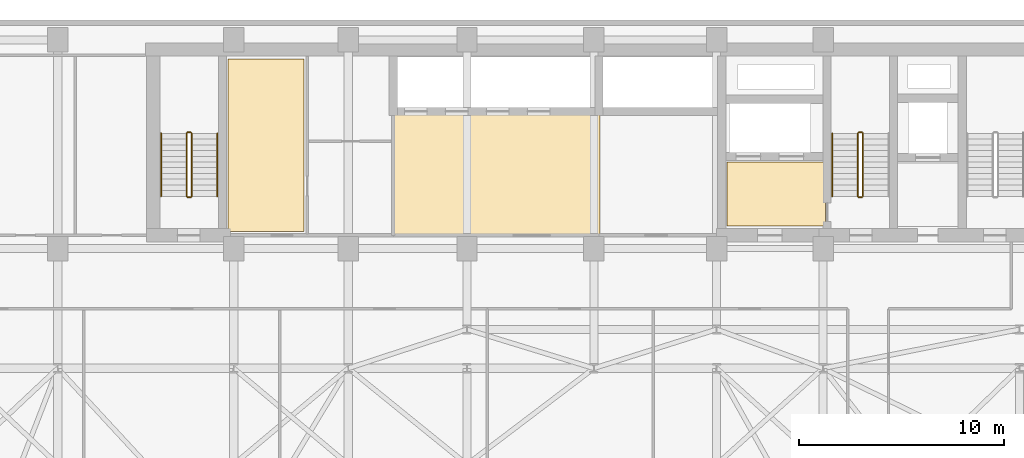
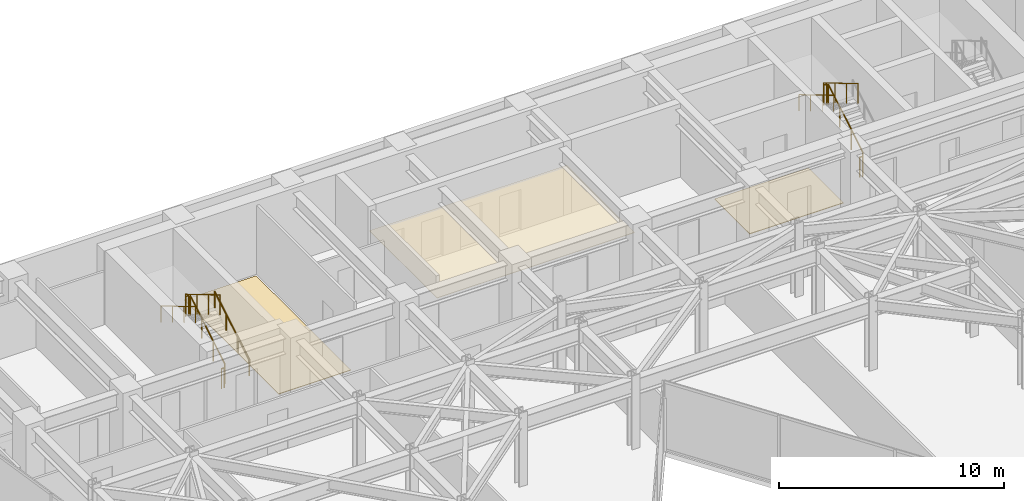
# One storey, part 25 of 26: 11 railings, 3 coverings.
"""IFC4 building model written with IfcOpenShell, lengths in metres."""

from ifc_helpers import new_model, si_unit, direction, frame, origin, origin_2d, place, context, subcontext, project, spatial, polyline, circle, outline, extrude, material, layer, layer_set, type_object, element, save


model = new_model("IFC4")

# Units and contexts
model_context = context("Model", 3, precision=1e-05, world=origin(), true_north=direction((0.0, 1.0)))
body_context = subcontext(model_context, "Body", "Model", "MODEL_VIEW")
ifc_project = project(units=[si_unit("LENGTHUNIT", "METRE"), si_unit("AREAUNIT", "SQUARE_METRE"), si_unit("VOLUMEUNIT", "CUBIC_METRE"), si_unit("PLANEANGLEUNIT", "RADIAN"), si_unit("MASSUNIT", "GRAM", prefix="KILO")], contexts=[model_context])

# Site, building, storey
site_placement = place(None, origin())
site = spatial("IfcSite", under=ifc_project, at=site_placement, CompositionType="ELEMENT")
building_placement = place(site_placement, origin())
building = spatial("IfcBuilding", under=site, at=building_placement, Name="Kravanh Interchange Tower", CompositionType="ELEMENT")
storey_placement = place(building_placement, frame((0.0, 0.0, 132.0)))
storey = spatial("IfcBuildingStorey", under=building, at=storey_placement, Name="L31", CompositionType="ELEMENT", Elevation=132.0)

# Coverings
ifc_material_1 = material(Name="Cementitious Terrazzo Tile")
ifc_layer_1 = layer(ifc_material_1, 0.030029296875)
ifc_layer_set_1 = layer_set([ifc_layer_1], Name="Honed Terrazzo Lobby Flooring 30mm")
covering_type_1 = type_object("IfcCoveringType", Name="Honed Terrazzo Lobby Flooring 30mm", PredefinedType="FLOORING", material=ifc_layer_set_1)
covering_1_placement = place(storey_placement, origin())
element("IfcCovering", 1, at=covering_1_placement, inside=storey, type_object=covering_type_1, Name="L31 Firefighting Lobby Floor Finish", PredefinedType="FLOORING", context=body_context, shape_type="SweptSolid", body=[
    extrude(outline(polyline([(56.1201171875, 38.4599609375), (51.300048828125, 38.4599609375), (51.300048828125, 41.580078125), (56.1201171875, 41.580078125), (56.1201171875, 38.4599609375)])), origin(), (0.0, 0.0, 1.0), 0.030029296875),
])
covering_2_placement = place(storey_placement, origin())
element("IfcCovering", 2, at=covering_2_placement, inside=storey, type_object=covering_type_1, Name="L31 Staff Break and Coffee Room Floor Finish", PredefinedType="FLOORING", context=body_context, shape_type="SweptSolid", body=[
    extrude(outline(polyline([(26.929931640625, 46.6201171875), (30.639892578125, 46.6201171875), (30.639892578125, 38.179931640625), (26.929931640625, 38.179931640625), (26.929931640625, 46.6201171875)])), origin(), (0.0, 0.0, 1.0), 0.030029296875),
])
ifc_material_2 = material(Name="Acoustic Mineral Fibre Tile on Aluminium Grid", Category="aluminium")
ifc_layer_2 = layer(ifc_material_2, 0.02490234375)
ifc_layer_set_2 = layer_set([ifc_layer_2], Name="Perforated Acoustic Mineral Ceiling 25mm")
covering_type_2 = type_object("IfcCoveringType", Name="Perforated Acoustic Mineral Ceiling 25mm", PredefinedType="CEILING", material=ifc_layer_set_2)
covering_3_placement = place(storey_placement, frame((0.0, 0.0, 2.550048828125)))
element("IfcCovering", 3, at=covering_3_placement, inside=storey, type_object=covering_type_2, Name="L31 Mid-Rise Lift Lobby Suspended Ceiling", PredefinedType="CEILING", context=body_context, shape_type="SweptSolid", body=[
    extrude(outline(polyline([(45.090087890625, 37.9599609375), (34.93994140625, 37.9599609375), (34.93994140625, 43.989990234375), (45.090087890625, 43.989990234375), (45.090087890625, 37.9599609375)])), origin(), (0.0, 0.0, 1.0), 0.02490234375),
])

# Railings
ifc_material_3 = material(Name="Structural Steel S355", Category="steel")
ifc_layer_3 = layer(ifc_material_3, 0.050048828125)
ifc_layer_set_3 = layer_set([ifc_layer_3], Name="Stair Well Guardrail Structural Steel S355 1100mm")
railing_type_1 = type_object("IfcRailingType", Name="Stair Well Guardrail Structural Steel S355 1100mm", PredefinedType="GUARDRAIL", material=ifc_layer_set_3)
railing_1_placement = place(storey_placement, frame((57.949951171875, 39.89990234375, 0.166748046875)))
element("IfcRailing", 4, at=railing_1_placement, inside=storey, type_object=railing_type_1, Name="L31 ST2 stair guard 1", PredefinedType="GUARDRAIL", context=body_context, shape_type="SweptSolid", body=[
    extrude(circle(Radius=0.02392578125, at=origin_2d()), frame((0.0, 0.0, 1.076171875), z_axis=(0.0, 0.859308565015, 0.511457515432), x_axis=(-1.0, 0.0, 0.0)), (0.0, 0.0, 1.0), 3.58447265625),
    extrude(circle(Radius=0.02099609375, at=origin_2d()), origin(), (0.0, 0.0, 1.0), 1.052001953125),
    extrude(circle(Radius=0.02099609375, at=origin_2d()), frame((0.0, 1.026611328125, 0.611083984375)), (0.0, 0.0, 1.0), 1.052001953125),
    extrude(circle(Radius=0.02099609375, at=origin_2d()), frame((0.0, 2.053466796875, 1.22216796875)), (0.0, 0.0, 1.0), 1.052001953125),
    extrude(circle(Radius=0.02099609375, at=origin_2d()), frame((0.0, 3.080078125, 1.833251953125)), (0.0, 0.0, 1.0), 1.052001953125),
])
railing_2_placement = place(storey_placement, frame((57.89990234375, 43.030029296875, 2.0)))
element("IfcRailing", 5, at=railing_2_placement, inside=storey, type_object=railing_type_1, Name="L31 ST2 stair guard 2", PredefinedType="GUARDRAIL", context=body_context, shape_type="SweptSolid", body=[
    extrude(circle(Radius=0.02392578125, at=origin_2d()), frame((0.0, 0.0, 1.076171875), z_axis=(-1.0, 0.0, 0.0), x_axis=(0.0, -1.0, 0.0)), (0.0, 0.0, 1.0), 0.14990234375),
    extrude(circle(Radius=0.02099609375, at=origin_2d()), origin(), (0.0, 0.0, 1.0), 1.052001953125),
    extrude(circle(Radius=0.02099609375, at=origin_2d()), frame((-0.14990234375, 0.0, 0.0)), (0.0, 0.0, 1.0), 1.052001953125),
])
railing_3_placement = place(storey_placement, frame((57.699951171875, 42.97998046875, 2.166748046875)))
element("IfcRailing", 6, at=railing_3_placement, inside=storey, type_object=railing_type_1, Name="L31 ST2 stair guard 3", PredefinedType="GUARDRAIL", context=body_context, shape_type="SweptSolid", body=[
    extrude(circle(Radius=0.02392578125, at=origin_2d()), frame((0.0, 0.0, 1.076171875), z_axis=(0.0, -0.859308565015, 0.511457515432), x_axis=(1.0, 0.0, 0.0)), (0.0, 0.0, 1.0), 3.58447265625),
    extrude(circle(Radius=0.02099609375, at=origin_2d()), origin(), (0.0, 0.0, 1.0), 1.052001953125),
    extrude(circle(Radius=0.02099609375, at=origin_2d()), frame((0.0, -1.026611328125, 0.611083984375)), (0.0, 0.0, 1.0), 1.052001953125),
    extrude(circle(Radius=0.02099609375, at=origin_2d()), frame((0.0, -2.053466796875, 1.22216796875)), (0.0, 0.0, 1.0), 1.052001953125),
    extrude(circle(Radius=0.02099609375, at=origin_2d()), frame((0.0, -3.080078125, 1.833251953125)), (0.0, 0.0, 1.0), 1.052001953125),
])
railing_4_placement = place(storey_placement, frame((57.89990234375, 39.85009765625, 0.0)))
element("IfcRailing", 7, at=railing_4_placement, inside=storey, type_object=railing_type_1, Name="L31 ST2 stair guard 4", PredefinedType="GUARDRAIL", context=body_context, shape_type="SweptSolid", body=[
    extrude(circle(Radius=0.02392578125, at=origin_2d()), frame((0.0, 0.0, 1.076171875), z_axis=(-1.0, 0.0, 0.0), x_axis=(0.0, -1.0, 0.0)), (0.0, 0.0, 1.0), 0.14990234375),
    extrude(circle(Radius=0.02099609375, at=origin_2d()), origin(), (0.0, 0.0, 1.0), 1.052001953125),
    extrude(circle(Radius=0.02099609375, at=origin_2d()), frame((-0.14990234375, 0.0, 0.0)), (0.0, 0.0, 1.0), 1.052001953125),
])
railing_5_placement = place(storey_placement, frame((25.14990234375, 39.89990234375, 0.166748046875)))
element("IfcRailing", 8, at=railing_5_placement, inside=storey, type_object=railing_type_1, Name="L31 ST3 stair guard 1", PredefinedType="GUARDRAIL", context=body_context, shape_type="SweptSolid", body=[
    extrude(circle(Radius=0.02392578125, at=origin_2d()), frame((0.0, 0.0, 1.076171875), z_axis=(0.0, 0.859308565015, 0.511457515432), x_axis=(-1.0, 0.0, 0.0)), (0.0, 0.0, 1.0), 3.58447265625),
    extrude(circle(Radius=0.02099609375, at=origin_2d()), origin(), (0.0, 0.0, 1.0), 1.052001953125),
    extrude(circle(Radius=0.02099609375, at=origin_2d()), frame((0.0, 1.026611328125, 0.611083984375)), (0.0, 0.0, 1.0), 1.052001953125),
    extrude(circle(Radius=0.02099609375, at=origin_2d()), frame((0.0, 2.053466796875, 1.22216796875)), (0.0, 0.0, 1.0), 1.052001953125),
    extrude(circle(Radius=0.02099609375, at=origin_2d()), frame((0.0, 3.080078125, 1.833251953125)), (0.0, 0.0, 1.0), 1.052001953125),
])
railing_6_placement = place(storey_placement, frame((25.10009765625, 43.030029296875, 2.0)))
element("IfcRailing", 9, at=railing_6_placement, inside=storey, type_object=railing_type_1, Name="L31 ST3 stair guard 2", PredefinedType="GUARDRAIL", context=body_context, shape_type="SweptSolid", body=[
    extrude(circle(Radius=0.02392578125, at=origin_2d()), frame((0.0, 0.0, 1.076171875), z_axis=(-1.0, 0.0, 0.0), x_axis=(0.0, -1.0, 0.0)), (0.0, 0.0, 1.0), 0.150146484375),
    extrude(circle(Radius=0.02099609375, at=origin_2d()), origin(), (0.0, 0.0, 1.0), 1.052001953125),
    extrude(circle(Radius=0.02099609375, at=origin_2d()), frame((-0.150146484375, 0.0, 0.0)), (0.0, 0.0, 1.0), 1.052001953125),
])
railing_7_placement = place(storey_placement, frame((24.89990234375, 42.97998046875, 2.166748046875)))
element("IfcRailing", 10, at=railing_7_placement, inside=storey, type_object=railing_type_1, Name="L31 ST3 stair guard 3", PredefinedType="GUARDRAIL", context=body_context, shape_type="SweptSolid", body=[
    extrude(circle(Radius=0.02392578125, at=origin_2d()), frame((0.0, 0.0, 1.076171875), z_axis=(0.0, -0.859308565015, 0.511457515432), x_axis=(1.0, 0.0, 0.0)), (0.0, 0.0, 1.0), 3.58447265625),
    extrude(circle(Radius=0.02099609375, at=origin_2d()), origin(), (0.0, 0.0, 1.0), 1.052001953125),
    extrude(circle(Radius=0.02099609375, at=origin_2d()), frame((0.0, -1.026611328125, 0.611083984375)), (0.0, 0.0, 1.0), 1.052001953125),
    extrude(circle(Radius=0.02099609375, at=origin_2d()), frame((0.0, -2.053466796875, 1.22216796875)), (0.0, 0.0, 1.0), 1.052001953125),
    extrude(circle(Radius=0.02099609375, at=origin_2d()), frame((0.0, -3.080078125, 1.833251953125)), (0.0, 0.0, 1.0), 1.052001953125),
])
railing_8_placement = place(storey_placement, frame((25.10009765625, 39.85009765625, 0.0)))
element("IfcRailing", 11, at=railing_8_placement, inside=storey, type_object=railing_type_1, Name="L31 ST3 stair guard 4", PredefinedType="GUARDRAIL", context=body_context, shape_type="SweptSolid", body=[
    extrude(circle(Radius=0.02392578125, at=origin_2d()), frame((0.0, 0.0, 1.076171875), z_axis=(-1.0, 0.0, 0.0), x_axis=(0.0, -1.0, 0.0)), (0.0, 0.0, 1.0), 0.150146484375),
    extrude(circle(Radius=0.02099609375, at=origin_2d()), origin(), (0.0, 0.0, 1.0), 1.052001953125),
    extrude(circle(Radius=0.02099609375, at=origin_2d()), frame((-0.150146484375, 0.0, 0.0)), (0.0, 0.0, 1.0), 1.052001953125),
])
ifc_material_4 = material(Name="Stainless Steel 304", Category="steel")
ifc_layer_4 = layer(ifc_material_4, 0.044921875)
ifc_layer_set_4 = layer_set([ifc_layer_4], Name="Tubular Stair Handrail Stainless 304 900mm")
railing_type_2 = type_object("IfcRailingType", Name="Tubular Stair Handrail Stainless 304 900mm", PredefinedType="HANDRAIL", material=ifc_layer_set_4)
railing_9_placement = place(storey_placement, frame((56.449951171875, 42.97998046875, 2.166748046875)))
element("IfcRailing", 12, at=railing_9_placement, inside=storey, type_object=railing_type_2, Name="L31 ST2 stair handrail 2", PredefinedType="HANDRAIL", context=body_context, shape_type="SweptSolid", body=[
    extrude(circle(Radius=0.02392578125, at=origin_2d()), frame((0.0, 0.0, 0.8759765625), z_axis=(0.0, -0.859308565015, 0.511457515432), x_axis=(1.0, 0.0, 0.0)), (0.0, 0.0, 1.0), 3.58447265625),
    extrude(circle(Radius=0.02099609375, at=origin_2d()), origin(), (0.0, 0.0, 1.0), 0.851806640625),
    extrude(circle(Radius=0.02099609375, at=origin_2d()), frame((0.0, -1.026611328125, 0.611083984375)), (0.0, 0.0, 1.0), 0.851806640625),
    extrude(circle(Radius=0.02099609375, at=origin_2d()), frame((0.0, -2.053466796875, 1.22216796875)), (0.0, 0.0, 1.0), 0.851806640625),
    extrude(circle(Radius=0.02099609375, at=origin_2d()), frame((0.0, -3.080078125, 1.833251953125)), (0.0, 0.0, 1.0), 0.851806640625),
])
railing_10_placement = place(storey_placement, frame((26.39990234375, 39.89990234375, 0.166748046875)))
element("IfcRailing", 13, at=railing_10_placement, inside=storey, type_object=railing_type_2, Name="L31 ST3 stair handrail 1", PredefinedType="HANDRAIL", context=body_context, shape_type="SweptSolid", body=[
    extrude(circle(Radius=0.02392578125, at=origin_2d()), frame((0.0, 0.0, 0.8759765625), z_axis=(0.0, 0.859308565015, 0.511457515432), x_axis=(-1.0, 0.0, 0.0)), (0.0, 0.0, 1.0), 3.58447265625),
    extrude(circle(Radius=0.02099609375, at=origin_2d()), origin(), (0.0, 0.0, 1.0), 0.851806640625),
    extrude(circle(Radius=0.02099609375, at=origin_2d()), frame((0.0, 1.026611328125, 0.611083984375)), (0.0, 0.0, 1.0), 0.851806640625),
    extrude(circle(Radius=0.02099609375, at=origin_2d()), frame((0.0, 2.053466796875, 1.22216796875)), (0.0, 0.0, 1.0), 0.851806640625),
    extrude(circle(Radius=0.02099609375, at=origin_2d()), frame((0.0, 3.080078125, 1.833251953125)), (0.0, 0.0, 1.0), 0.851806640625),
])
railing_11_placement = place(storey_placement, frame((23.64990234375, 42.97998046875, 2.166748046875)))
element("IfcRailing", 14, at=railing_11_placement, inside=storey, type_object=railing_type_2, Name="L31 ST3 stair handrail 2", PredefinedType="HANDRAIL", context=body_context, shape_type="SweptSolid", body=[
    extrude(circle(Radius=0.02392578125, at=origin_2d()), frame((0.0, 0.0, 0.8759765625), z_axis=(0.0, -0.859308565015, 0.511457515432), x_axis=(1.0, 0.0, 0.0)), (0.0, 0.0, 1.0), 3.58447265625),
    extrude(circle(Radius=0.02099609375, at=origin_2d()), origin(), (0.0, 0.0, 1.0), 0.851806640625),
    extrude(circle(Radius=0.02099609375, at=origin_2d()), frame((0.0, -1.026611328125, 0.611083984375)), (0.0, 0.0, 1.0), 0.851806640625),
    extrude(circle(Radius=0.02099609375, at=origin_2d()), frame((0.0, -2.053466796875, 1.22216796875)), (0.0, 0.0, 1.0), 0.851806640625),
    extrude(circle(Radius=0.02099609375, at=origin_2d()), frame((0.0, -3.080078125, 1.833251953125)), (0.0, 0.0, 1.0), 0.851806640625),
])

save(model, "model.ifc")
